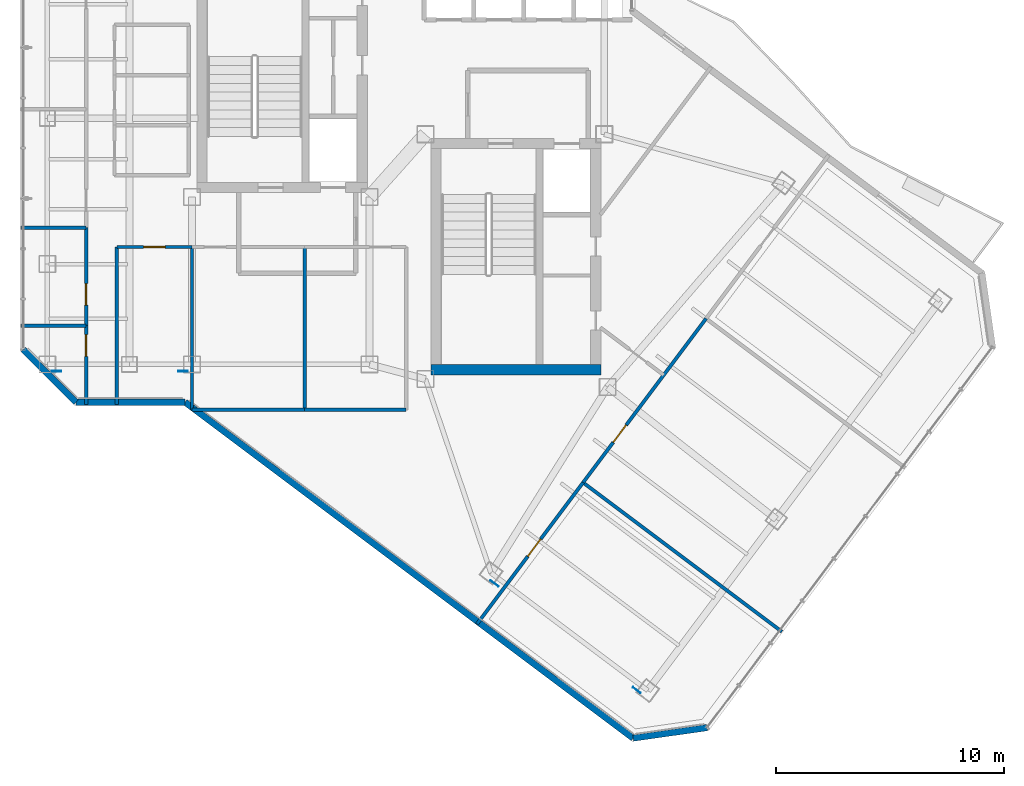
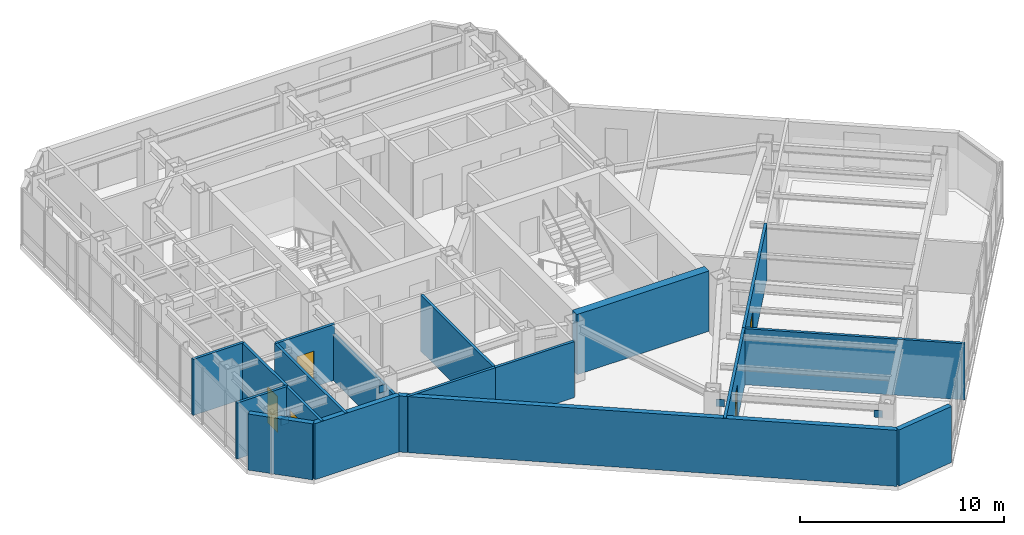
# One storey, part 19 of 26: 18 walls, 5 doors, 4 plates, 5 openings.
"""IFC4 building model written with IfcOpenShell, lengths in metres."""

from ifc_helpers import new_model, si_unit, direction, frame, frame_2d, origin, origin_2d, place, context, subcontext, project, spatial, rectangle, extrude, material, layer, layer_set, type_object, element, fill, save


model = new_model("IFC4")

# Units and contexts
model_context = context("Model", 3, precision=1e-05, world=origin(), true_north=direction((0.0, 1.0)))
body_context = subcontext(model_context, "Body", "Model", "MODEL_VIEW")
ifc_project = project(units=[si_unit("LENGTHUNIT", "METRE"), si_unit("AREAUNIT", "SQUARE_METRE"), si_unit("VOLUMEUNIT", "CUBIC_METRE"), si_unit("PLANEANGLEUNIT", "RADIAN"), si_unit("MASSUNIT", "GRAM", prefix="KILO")], contexts=[model_context])

# Site, building, storey
site_placement = place(None, origin())
site = spatial("IfcSite", under=ifc_project, at=site_placement, CompositionType="ELEMENT")
building_placement = place(site_placement, origin())
building = spatial("IfcBuilding", under=site, at=building_placement, Name="Hatsunagi Terrace Concourse", CompositionType="ELEMENT")
storey_placement = place(building_placement, frame((0.0, 0.0, 198.75)))
storey = spatial("IfcBuildingStorey", under=building, at=storey_placement, Name="L52", CompositionType="ELEMENT", Elevation=198.75)

# Plates
ifc_material_1 = material(Name="Steel SN490C", Category="steel")
ifc_layer_1 = layer(ifc_material_1, 0.031982421875)
ifc_layer_set_1 = layer_set([ifc_layer_1], Name="XBraceNodeCapPlate_32")
plate_type = type_object("IfcPlateType", Name="XBraceNodeCapPlate_32", PredefinedType="USERDEFINED", material=ifc_layer_set_1)
for number, where, z_axis, x_axis, name in (
    (1, (19.60009765625, 24.89990234375, 2.699951171875), (0.0, 0.0, 1.0), (1.0, 0.0, 0.0), "Cast-In Core and Node Embed Plate GP-02 EP-XB-L50-W1-AT"),
    (2, (25.14990234375, 24.89990234375, 2.699951171875), (0.0, 0.0, 1.0), (1.0, 0.0, 0.0), "Cast-In Core and Node Embed Plate GP-02 EP-XB-L50-W1-BT"),
    (3, (38.83203125, 15.575927734375, 2.699951171875), (0.0, 0.0, 1.0), (0.799999996291, -0.600000004945, 0.0), "Cast-In Core and Node Embed Plate GP-02 EP-XB-L50-SE-AT"),
    (4, (45.072021484375, 10.89599609375, 2.699951171875), (0.0, 0.0, 1.0), (0.799999996291, -0.600000004945, 0.0), "Cast-In Core and Node Embed Plate GP-02 EP-XB-L50-SE-BT"),
):
    element("IfcPlate", number, at=place(storey_placement, frame(where, z_axis=z_axis, x_axis=x_axis)), inside=storey, type_object=plate_type, Name=name, ObjectType="GUSSET_PLATE", PredefinedType="USERDEFINED", context=body_context, shape_type="SweptSolid", body=[
        extrude(rectangle(XDim=0.419921875, YDim=0.031982421875, at=origin_2d()), origin(), (0.0, 0.0, 1.0), 0.419921875),
    ])

# Walls
ifc_material_2 = material(Name="Concrete Fc42", Category="concrete")
ifc_layer_2 = layer(ifc_material_2, 0.449951171875)
ifc_layer_set_2 = layer_set([ifc_layer_2], Name="CoreShearWall_Fc42_450")
wall_type_1 = type_object("IfcWallType", Name="CoreShearWall_Fc42_450", PredefinedType="SHEAR", material=ifc_layer_set_2)
wall_1_placement = place(storey_placement, frame((36.0400390625, 24.965087890625, 0.0), z_axis=(0.0, 0.0, 1.0), x_axis=(1.0, 0.0, 0.0)))
element("IfcWall", 5, at=wall_1_placement, inside=storey, type_object=wall_type_1, Name="Core B Shear Wall S L52", PredefinedType="SHEAR", context=body_context, shape_type="SweptSolid", body=[
    extrude(rectangle(XDim=7.4599609375, YDim=0.449951171875, at=frame_2d((3.72998046875, 0.0))), origin(), (0.0, 0.0, 1.0), 3.60009765625),
])
ifc_material_3 = material(Name="Acoustic mineral board", Category="gypsum")
ifc_layer_3 = layer(ifc_material_3, 0.14990234375)
ifc_layer_set_3 = layer_set([ifc_layer_3], Name="PartitionWall_EI60_150")
wall_type_2 = type_object("IfcWallType", Name="PartitionWall_EI60_150", PredefinedType="PARTITIONING", material=ifc_layer_set_3)
wall_2_placement = place(storey_placement, frame((25.550048828125, 23.199951171875, 0.0), z_axis=(0.0, 0.0, 1.0), x_axis=(1.0, 0.0, 0.0)))
element("IfcWall", 6, at=wall_2_placement, inside=storey, type_object=wall_type_2, Name="Interior Partition IW-L52-026", PredefinedType="PARTITIONING", context=body_context, shape_type="SweptSolid", body=[
    extrude(rectangle(XDim=4.949951171875, YDim=0.14990234375, at=frame_2d((2.47509765625, 0.0))), origin(), (0.0, 0.0, 1.0), 3.35009765625),
])
wall_3_placement = place(storey_placement, frame((25.550048828125, 23.199951171875, 0.0), z_axis=(0.0, 0.0, 1.0), x_axis=(0.0, 1.0, 0.0)))
element("IfcWall", 7, at=wall_3_placement, inside=storey, type_object=wall_type_2, Name="Interior Partition IW-L52-028", PredefinedType="PARTITIONING", context=body_context, shape_type="SweptSolid", body=[
    extrude(rectangle(XDim=7.150146484375, YDim=0.14990234375, at=frame_2d((3.5751953125, 0.0))), origin(), (0.0, 0.0, 1.0), 2.757080078125),
])
wall_4_placement = place(storey_placement, frame((30.5, 23.199951171875, 0.0), z_axis=(0.0, 0.0, 1.0), x_axis=(0.0, 1.0, 0.0)))
element("IfcWall", 8, at=wall_4_placement, inside=storey, type_object=wall_type_2, Name="Interior Partition IW-L52-029", PredefinedType="PARTITIONING", context=body_context, shape_type="SweptSolid", body=[
    extrude(rectangle(XDim=7.150146484375, YDim=0.14990234375, at=frame_2d((3.5751953125, 0.0))), origin(), (0.0, 0.0, 1.0), 3.35009765625),
])
wall_5_placement = place(storey_placement, frame((30.5, 23.199951171875, 0.0), z_axis=(0.0, 0.0, 1.0), x_axis=(1.0, 0.0, 0.0)))
element("IfcWall", 9, at=wall_5_placement, inside=storey, type_object=wall_type_2, Name="Interior Partition IW-L52-030", PredefinedType="PARTITIONING", context=body_context, shape_type="SweptSolid", body=[
    extrude(rectangle(XDim=4.449951171875, YDim=0.14990234375, at=frame_2d((2.22509765625, 0.0))), origin(), (0.0, 0.0, 1.0), 3.35009765625),
])
wall_6_placement = place(storey_placement, frame((18.0400390625, 26.89990234375, 0.0), z_axis=(0.0, 0.0, 1.0), x_axis=(1.0, 0.0, 0.0)))
element("IfcWall", 10, at=wall_6_placement, inside=storey, type_object=wall_type_2, Name="Interior Partition IW-L52-033", PredefinedType="PARTITIONING", context=body_context, shape_type="SweptSolid", body=[
    extrude(rectangle(XDim=2.85986328125, YDim=0.14990234375, at=frame_2d((1.429931640625, 0.0))), origin(), (0.0, 0.0, 1.0), 3.35009765625),
])

# Wall, opening, door
wall_7_placement = place(storey_placement, frame((20.89990234375, 23.43994140625, 0.0), z_axis=(0.0, 0.0, 1.0), x_axis=(0.0, 1.0, 0.0)))
wall_7 = element("IfcWall", 11, at=wall_7_placement, inside=storey, type_object=wall_type_2, Name="Interior Partition IW-L52-034", PredefinedType="PARTITIONING", context=body_context, shape_type="SweptSolid", body=[
    extrude(rectangle(XDim=3.4599609375, YDim=0.14990234375, at=frame_2d((1.72998046875, 0.0))), origin(), (0.0, 0.0, 1.0), 3.35009765625),
])
opening_1_placement = place(wall_7_placement, frame((2.112060546875, 0.0, 0.0)))
opening_1 = element("IfcOpeningElement", 12, at=opening_1_placement, cuts=wall_7, Name="Opening DR-095", PredefinedType="OPENING", context=body_context, shape_type="SweptSolid", body=[
    extrude(rectangle(XDim=0.949951171875, YDim=2.14990234375, at=frame_2d((0.47509765625, 1.074951171875))), frame((0.0, 0.0849609375, 0.0), z_axis=(0.0, -1.0, 0.0), x_axis=(1.0, 0.0, 0.0)), (0.0, 0.0, 1.0), 0.169921875),
])
ifc_material_4 = material(Name="Hardwood timber", Category="wood")
door_type = type_object("IfcDoorType", Name="InteriorSuiteDoor_EI30_950", OperationType="NOTDEFINED", PredefinedType="DOOR", material=ifc_material_4)
door_1_placement = place(opening_1_placement, origin())
door_1 = element("IfcDoor", 13, at=door_1_placement, inside=storey, type_object=door_type, Name="Focus Room L52-OW1 Door", OperationType="SINGLE_SWING_RIGHT", OverallHeight=2.14990234375, OverallWidth=0.949951171875, PredefinedType="DOOR", context=body_context, shape_type="SweptSolid", body=[
    extrude(rectangle(XDim=0.949951171875, YDim=2.14990234375, at=frame_2d((0.47509765625, 1.074951171875))), frame((0.0, 0.02490234375, 0.0), z_axis=(0.0, -1.0, 0.0), x_axis=(1.0, 0.0, 0.0)), (0.0, 0.0, 1.0), 0.050048828125),
])
fill(opening_1, door_1)

# Wall
wall_8_placement = place(storey_placement, frame((18.0400390625, 31.199951171875, 0.0), z_axis=(0.0, 0.0, 1.0), x_axis=(1.0, 0.0, 0.0)))
element("IfcWall", 14, at=wall_8_placement, inside=storey, type_object=wall_type_2, Name="Interior Partition IW-L52-035", PredefinedType="PARTITIONING", context=body_context, shape_type="SweptSolid", body=[
    extrude(rectangle(XDim=2.85986328125, YDim=0.14990234375, at=frame_2d((1.429931640625, 0.0))), origin(), (0.0, 0.0, 1.0), 3.35009765625),
])

# Wall, opening, door
wall_9_placement = place(storey_placement, frame((20.89990234375, 26.89990234375, 0.0), z_axis=(0.0, 0.0, 1.0), x_axis=(0.0, 1.0, 0.0)))
wall_9 = element("IfcWall", 15, at=wall_9_placement, inside=storey, type_object=wall_type_2, Name="Interior Partition IW-L52-036", PredefinedType="PARTITIONING", context=body_context, shape_type="SweptSolid", body=[
    extrude(rectangle(XDim=4.300048828125, YDim=0.14990234375, at=frame_2d((2.14990234375, 0.0))), origin(), (0.0, 0.0, 1.0), 3.35009765625),
])
opening_2_placement = place(wall_9_placement, frame((0.89794921875, 0.0, 0.0)))
opening_2 = element("IfcOpeningElement", 16, at=opening_2_placement, cuts=wall_9, Name="Opening DR-095", PredefinedType="OPENING", context=body_context, shape_type="SweptSolid", body=[
    extrude(rectangle(XDim=0.949951171875, YDim=2.14990234375, at=frame_2d((0.47509765625, 1.074951171875))), frame((0.0, 0.0849609375, 0.0), z_axis=(0.0, -1.0, 0.0), x_axis=(1.0, 0.0, 0.0)), (0.0, 0.0, 1.0), 0.169921875),
])
door_2_placement = place(opening_2_placement, origin())
door_2 = element("IfcDoor", 17, at=door_2_placement, inside=storey, type_object=door_type, Name="Executive Office L52-OW2 Door", OperationType="SINGLE_SWING_RIGHT", OverallHeight=2.14990234375, OverallWidth=0.949951171875, PredefinedType="DOOR", context=body_context, shape_type="SweptSolid", body=[
    extrude(rectangle(XDim=0.949951171875, YDim=2.14990234375, at=frame_2d((0.47509765625, 1.074951171875))), frame((0.0, 0.02490234375, 0.0), z_axis=(0.0, -1.0, 0.0), x_axis=(1.0, 0.0, 0.0)), (0.0, 0.0, 1.0), 0.050048828125),
])
fill(opening_2, door_2)

# Wall
wall_10_placement = place(storey_placement, frame((42.719970703125, 20.010009765625, 0.0), z_axis=(0.0, 0.0, 1.0), x_axis=(0.800005370633, -0.599992839089, 0.0)))
element("IfcWall", 18, at=wall_10_placement, inside=storey, type_object=wall_type_2, Name="Interior Partition IW-L52-043", PredefinedType="PARTITIONING", context=body_context, shape_type="SweptSolid", body=[
    extrude(rectangle(XDim=10.909912109375, YDim=0.14990234375, at=frame_2d((5.455078125, 0.0))), origin(), (0.0, 0.0, 1.0), 3.35009765625),
])

# Wall, opening, door
wall_11_placement = place(storey_placement, frame((38.06396484375, 13.802001953125, 0.0), z_axis=(0.0, 0.0, 1.0), x_axis=(0.6, 0.8, 0.0)))
wall_11 = element("IfcWall", 19, at=wall_11_placement, inside=storey, type_object=wall_type_2, Name="Interior Partition IW-L52-044", PredefinedType="PARTITIONING", context=body_context, shape_type="SweptSolid", body=[
    extrude(rectangle(XDim=7.760009765625, YDim=0.14990234375, at=frame_2d((3.8798828125, 0.0))), origin(), (0.0, 0.0, 1.0), 3.35009765625),
])
opening_3_placement = place(wall_11_placement, frame((3.7080078125, 0.0, 0.0)))
opening_3 = element("IfcOpeningElement", 20, at=opening_3_placement, cuts=wall_11, Name="Opening DR-095", PredefinedType="OPENING", context=body_context, shape_type="SweptSolid", body=[
    extrude(rectangle(XDim=0.949951171875, YDim=2.14990234375, at=frame_2d((0.47509765625, 1.074951171875))), frame((0.0, 0.0849609375, 0.0), z_axis=(0.0, -1.0, 0.0), x_axis=(1.0, 0.0, 0.0)), (0.0, 0.0, 1.0), 0.169921875),
])
door_3_placement = place(opening_3_placement, origin())
door_3 = element("IfcDoor", 21, at=door_3_placement, inside=storey, type_object=door_type, Name="Research Focus Suite L52-OSE1 Door", OperationType="SINGLE_SWING_RIGHT", OverallHeight=2.14990234375, OverallWidth=0.949951171875, PredefinedType="DOOR", context=body_context, shape_type="SweptSolid", body=[
    extrude(rectangle(XDim=0.949951171875, YDim=2.14990234375, at=frame_2d((0.47509765625, 1.074951171875))), frame((0.0, 0.02490234375, 0.0), z_axis=(0.0, -1.0, 0.0), x_axis=(1.0, 0.0, 0.0)), (0.0, 0.0, 1.0), 0.050048828125),
])
fill(opening_3, door_3)

wall_12_placement = place(storey_placement, frame((42.719970703125, 20.010009765625, 0.0), z_axis=(0.0, 0.0, 1.0), x_axis=(0.600013020683, 0.799990234322, 0.0)))
wall_12 = element("IfcWall", 22, at=wall_12_placement, inside=storey, type_object=wall_type_2, Name="Interior Partition IW-L52-046", PredefinedType="PARTITIONING", context=body_context, shape_type="SweptSolid", body=[
    extrude(rectangle(XDim=9.0, YDim=0.14990234375, at=frame_2d((4.5, 0.0))), origin(), (0.0, 0.0, 1.0), 3.35009765625),
])
opening_4_placement = place(wall_12_placement, frame((2.201904296875, 0.0, 0.0)))
opening_4 = element("IfcOpeningElement", 23, at=opening_4_placement, cuts=wall_12, Name="Opening DR-095", PredefinedType="OPENING", context=body_context, shape_type="SweptSolid", body=[
    extrude(rectangle(XDim=0.949951171875, YDim=2.14990234375, at=frame_2d((0.47509765625, 1.074951171875))), frame((0.0, 0.0849609375, 0.0), z_axis=(0.0, -1.0, 0.0), x_axis=(1.0, 0.0, 0.0)), (0.0, 0.0, 1.0), 0.169921875),
])
door_4_placement = place(opening_4_placement, origin())
door_4 = element("IfcDoor", 24, at=door_4_placement, inside=storey, type_object=door_type, Name="Team Innovation Studio L52-OSE2 Door", OperationType="SINGLE_SWING_RIGHT", OverallHeight=2.14990234375, OverallWidth=0.949951171875, PredefinedType="DOOR", context=body_context, shape_type="SweptSolid", body=[
    extrude(rectangle(XDim=0.949951171875, YDim=2.14990234375, at=frame_2d((0.47509765625, 1.074951171875))), frame((0.0, 0.02490234375, 0.0), z_axis=(0.0, -1.0, 0.0), x_axis=(1.0, 0.0, 0.0)), (0.0, 0.0, 1.0), 0.050048828125),
])
fill(opening_4, door_4)

wall_13_placement = place(storey_placement, frame((22.25, 30.35009765625, 0.0), z_axis=(0.0, 0.0, 1.0), x_axis=(1.0, 0.0, 0.0)))
wall_13 = element("IfcWall", 25, at=wall_13_placement, inside=storey, type_object=wall_type_2, Name="Interior Partition IW-L52-050", PredefinedType="PARTITIONING", context=body_context, shape_type="SweptSolid", body=[
    extrude(rectangle(XDim=3.300048828125, YDim=0.14990234375, at=frame_2d((1.64990234375, 0.0))), origin(), (0.0, 0.0, 1.0), 3.35009765625),
])
opening_5_placement = place(wall_13_placement, frame((1.175048828125, 0.0, 0.0)))
opening_5 = element("IfcOpeningElement", 26, at=opening_5_placement, cuts=wall_13, Name="Opening DR-095", PredefinedType="OPENING", context=body_context, shape_type="SweptSolid", body=[
    extrude(rectangle(XDim=0.949951171875, YDim=2.14990234375, at=frame_2d((0.47509765625, 1.074951171875))), frame((0.0, 0.0849609375, 0.0), z_axis=(0.0, -1.0, 0.0), x_axis=(1.0, 0.0, 0.0)), (0.0, 0.0, 1.0), 0.169921875),
])
door_5_placement = place(opening_5_placement, origin())
door_5 = element("IfcDoor", 27, at=door_5_placement, inside=storey, type_object=door_type, Name="Private Salon L52-OCSW Door", OperationType="SINGLE_SWING_RIGHT", OverallHeight=2.14990234375, OverallWidth=0.949951171875, PredefinedType="DOOR", context=body_context, shape_type="SweptSolid", body=[
    extrude(rectangle(XDim=0.949951171875, YDim=2.14990234375, at=frame_2d((0.47509765625, 1.074951171875))), frame((0.0, 0.02490234375, 0.0), z_axis=(0.0, -1.0, 0.0), x_axis=(1.0, 0.0, 0.0)), (0.0, 0.0, 1.0), 0.050048828125),
])
fill(opening_5, door_5)

# Walls
wall_14_placement = place(storey_placement, frame((22.25, 23.43994140625, 0.0), z_axis=(0.0, 0.0, 1.0), x_axis=(0.0, 1.0, 0.0)))
element("IfcWall", 28, at=wall_14_placement, inside=storey, type_object=wall_type_2, Name="Interior Partition IW-L52-051", PredefinedType="PARTITIONING", context=body_context, shape_type="SweptSolid", body=[
    extrude(rectangle(XDim=6.91015625, YDim=0.14990234375, at=frame_2d((3.455078125, 0.0))), origin(), (0.0, 0.0, 1.0), 3.35009765625),
])
ifc_material_5 = material(Name="Autoclaved Lightweight Concrete and Terracotta Cladding", Category="masonry")
ifc_layer_4 = layer(ifc_material_5, 0.280029296875)
ifc_layer_set_4 = layer_set([ifc_layer_4], Name="TerracottaSpandrelWall_280")
wall_type_3 = type_object("IfcWallType", Name="TerracottaSpandrelWall_280", PredefinedType="STANDARD", material=ifc_layer_set_4)
wall_15_placement = place(storey_placement, frame((48.1630859375, 9.25, 0.0), z_axis=(0.0, 0.0, 1.0), x_axis=(-0.989979263428, -0.141212810973, 0.0)))
element("IfcWall", 29, at=wall_15_placement, inside=storey, type_object=wall_type_3, Name="Exterior Spandrel Wall EW-L52-04", PredefinedType="STANDARD", context=body_context, shape_type="SweptSolid", body=[
    extrude(rectangle(XDim=3.278076171875, YDim=0.280029296875, at=frame_2d((1.63916015625, 0.0))), origin(), (0.0, 0.0, 1.0), 3.35009765625),
])
wall_16_placement = place(storey_placement, frame((44.91796875, 8.787109375, 0.0), z_axis=(0.0, 0.0, 1.0), x_axis=(-0.800004765927, 0.599993645378, 0.0)))
element("IfcWall", 30, at=wall_16_placement, inside=storey, type_object=wall_type_3, Name="Exterior Spandrel Wall EW-L52-05", PredefinedType="STANDARD", context=body_context, shape_type="SweptSolid", body=[
    extrude(rectangle(XDim=24.58837890625, YDim=0.280029296875, at=frame_2d((12.294189453125, 0.0))), origin(), (0.0, 0.0, 1.0), 3.35009765625),
])
wall_17_placement = place(storey_placement, frame((25.2470703125, 23.5400390625, 0.0), z_axis=(0.0, 0.0, 1.0), x_axis=(-1.0, 0.0, 0.0)))
element("IfcWall", 31, at=wall_17_placement, inside=storey, type_object=wall_type_3, Name="Exterior Spandrel Wall EW-L52-06", PredefinedType="STANDARD", context=body_context, shape_type="SweptSolid", body=[
    extrude(rectangle(XDim=4.7890625, YDim=0.280029296875, at=frame_2d((2.39453125, 0.0))), origin(), (0.0, 0.0, 1.0), 3.35009765625),
])
wall_18_placement = place(storey_placement, frame((20.4580078125, 23.5400390625, 0.0), z_axis=(0.0, 0.0, 1.0), x_axis=(-0.707144017911, 0.707069542501, 0.0)))
element("IfcWall", 32, at=wall_18_placement, inside=storey, type_object=wall_type_3, Name="Exterior Spandrel Wall EW-L52-07", PredefinedType="STANDARD", context=body_context, shape_type="SweptSolid", body=[
    extrude(rectangle(XDim=3.278076171875, YDim=0.280029296875, at=frame_2d((1.63916015625, 0.0))), origin(), (0.0, 0.0, 1.0), 3.35009765625),
])

save(model, "model.ifc")
